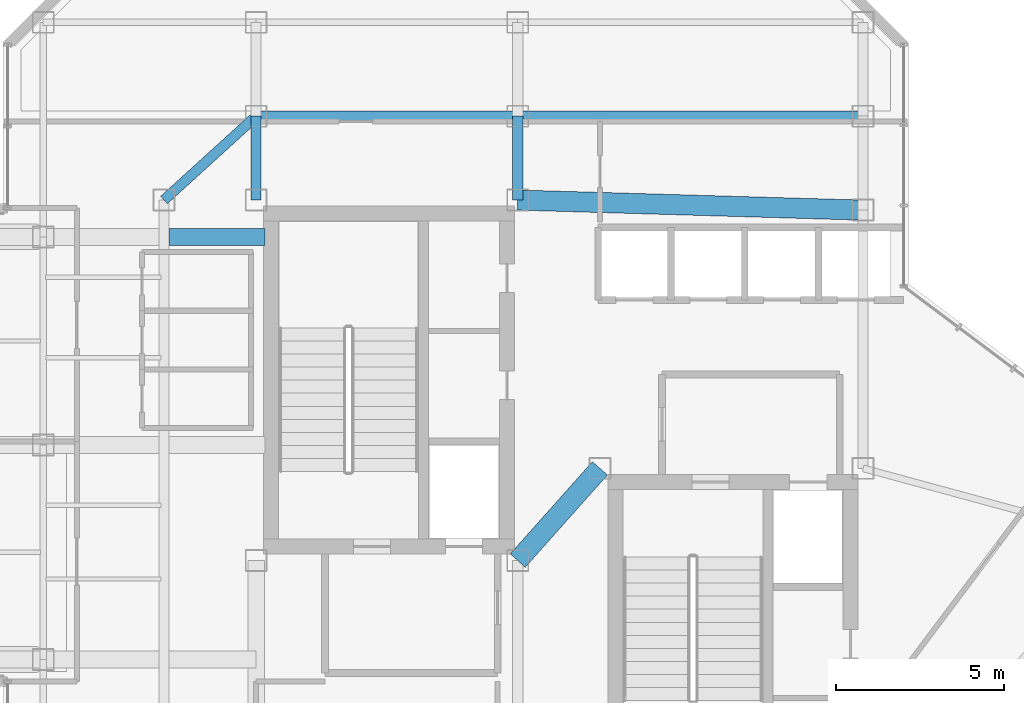
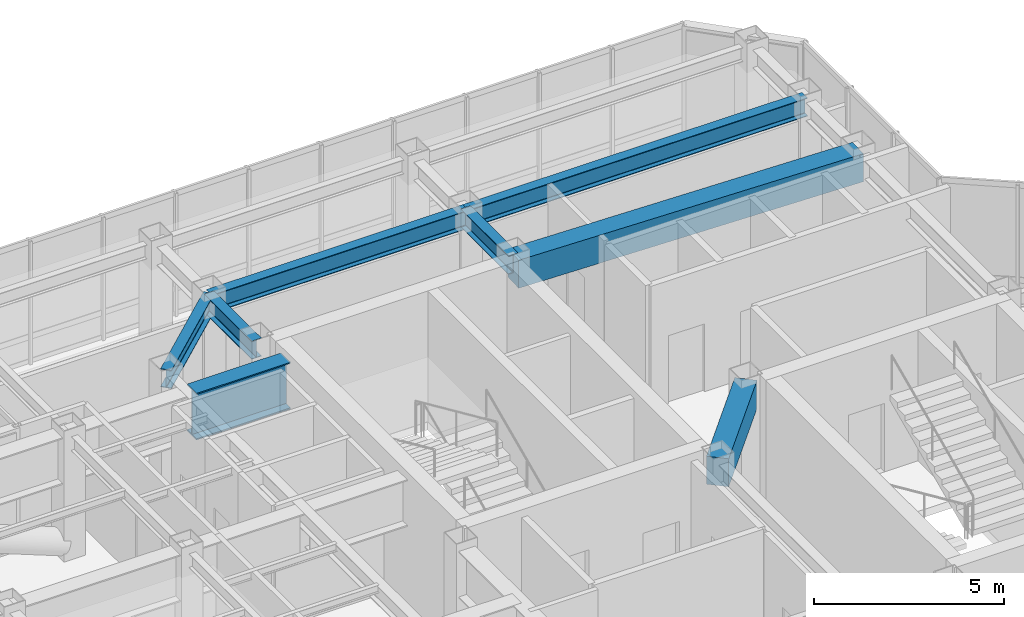
# One storey, part 8 of 22: 8 beams.
"""IFC4 building model written with IfcOpenShell, lengths in metres."""

from ifc_helpers import new_model, si_unit, direction, frame, origin, origin_2d, place, context, subcontext, project, spatial, rectangle, i_section, extrude, material, material_profile, profile_set, type_object, element, save


model = new_model("IFC4")

# Units and contexts
model_context = context("Model", 3, precision=1e-05, world=origin(), true_north=direction((0.0, 1.0)))
body_context = subcontext(model_context, "Body", "Model", "MODEL_VIEW")
ifc_project = project(units=[si_unit("LENGTHUNIT", "METRE"), si_unit("AREAUNIT", "SQUARE_METRE"), si_unit("VOLUMEUNIT", "CUBIC_METRE"), si_unit("PLANEANGLEUNIT", "RADIAN"), si_unit("MASSUNIT", "GRAM", prefix="KILO")], contexts=[model_context])

# Site, building, storey
site_placement = place(None, origin())
site = spatial("IfcSite", under=ifc_project, at=site_placement, CompositionType="ELEMENT")
building_placement = place(site_placement, origin())
building = spatial("IfcBuilding", under=site, at=building_placement, Name="Hatsunagi Terrace Concourse", CompositionType="ELEMENT")
storey_placement = place(building_placement, frame((0.0, 0.0, 257.550048828125)))
storey = spatial("IfcBuildingStorey", under=building, at=storey_placement, Name="L68", CompositionType="ELEMENT", Elevation=257.550048828125)

# Beams
ifc_material_1 = material(Name="Concrete Fc42", Category="concrete")
ifc_material_profile_1 = material_profile(ifc_material_1, rectangle(XDim=0.60009765625, YDim=0.89990234375, at=origin_2d()), Name="RC-600x900")
ifc_profile_set_1 = profile_set([ifc_material_profile_1], Name="Concrete Fc42")
beam_type_1 = type_object("IfcBeamType", Name="CoreCouplingBeam_RC_600x900", PredefinedType="BEAM", material=ifc_profile_set_1)
beam_1_placement = place(storey_placement, frame((33.35009765625, 32.550048828125, 3.5), z_axis=(0.665198651008, 0.746666427997, 0.0), x_axis=(-0.746666427997, 0.665198651008, 0.0)))
element("IfcBeam", 1, at=beam_1_placement, inside=storey, type_object=beam_type_1, Name="Beam CB-03 CB-L68-1", PredefinedType="BEAM", context=body_context, shape_type="SweptSolid", body=[
    extrude(rectangle(XDim=0.60009765625, YDim=0.89990234375, at=origin_2d()), origin(), (0.0, 0.0, 1.0), 3.68310546875),
])
beam_2_placement = place(storey_placement, frame((33.35009765625, 43.300048828125, 3.5), z_axis=(0.999575947545, -0.029119153303, 0.0), x_axis=(0.029119153303, 0.999575947545, 0.0)))
element("IfcBeam", 2, at=beam_2_placement, inside=storey, type_object=beam_type_1, Name="Beam CB-03 CB-L68-2", PredefinedType="BEAM", context=body_context, shape_type="SweptSolid", body=[
    extrude(rectangle(XDim=0.60009765625, YDim=0.89990234375, at=origin_2d()), origin(), (0.0, 0.0, 1.0), 10.30419921875),
])
ifc_material_2 = material(Name="Steel SN490B", Category="steel")
ifc_material_profile_2 = material_profile(ifc_material_2, i_section(OverallWidth=0.300048828125, OverallDepth=0.587890625, WebThickness=0.011962890625, FlangeThickness=0.02001953125, FilletRadius=0.01806640625, at=origin_2d()), Name="H-588x300x12x20")
ifc_profile_set_2 = profile_set([ifc_material_profile_2], Name="Steel SN490B")
beam_type_2 = type_object("IfcBeamType", Name="OfficeHighGirder_H_588x300", PredefinedType="BEAM", material=ifc_profile_set_2)
for number, where, z_axis, x_axis, name in (
    (3, (25.550048828125, 43.300048828125, 3.656005859375), (0.0, 1.0, 0.0), (-1.0, 0.0, 0.0), "Beam G-06 BM-L68-CN1"),
    (4, (33.35009765625, 43.300048828125, 3.656005859375), (0.0, 1.0, 0.0), (-1.0, 0.0, 0.0), "Beam G-06 BM-L68-CN2"),
):
    element("IfcBeam", number, at=place(storey_placement, frame(where, z_axis=z_axis, x_axis=x_axis)), inside=storey, type_object=beam_type_2, Name=name, PredefinedType="BEAM", context=body_context, shape_type="SweptSolid", body=[
        extrude(i_section(OverallWidth=0.300048828125, OverallDepth=0.587890625, WebThickness=0.011962890625, FlangeThickness=0.02001953125, FilletRadius=0.01806640625, at=origin_2d()), origin(), (0.0, 0.0, 1.0), 2.5),
    ])
beam_3_placement = place(storey_placement, frame((25.550048828125, 45.800048828125, 3.656005859375), z_axis=(1.0, 0.0, 0.0), x_axis=(0.0, 1.0, 0.0)))
element("IfcBeam", 5, at=beam_3_placement, inside=storey, type_object=beam_type_2, Name="Beam G-06 BM-L68-CNEW1", PredefinedType="BEAM", context=body_context, shape_type="SweptSolid", body=[
    extrude(i_section(OverallWidth=0.300048828125, OverallDepth=0.587890625, WebThickness=0.011962890625, FlangeThickness=0.02001953125, FilletRadius=0.01806640625, at=origin_2d()), origin(), (0.0, 0.0, 1.0), 7.800048828125),
])
beam_4_placement = place(storey_placement, frame((33.35009765625, 45.800048828125, 3.656005859375), z_axis=(1.0, 0.0, 0.0), x_axis=(0.0, 1.0, 0.0)))
element("IfcBeam", 6, at=beam_4_placement, inside=storey, type_object=beam_type_2, Name="Beam G-06 BM-L68-CNEW2", PredefinedType="BEAM", context=body_context, shape_type="SweptSolid", body=[
    extrude(i_section(OverallWidth=0.300048828125, OverallDepth=0.587890625, WebThickness=0.011962890625, FlangeThickness=0.02001953125, FilletRadius=0.01806640625, at=origin_2d()), origin(), (0.0, 0.0, 1.0), 10.2998046875),
])
beam_5_placement = place(storey_placement, frame((22.800048828125, 43.300048828125, 3.656005859375), z_axis=(0.739940073396, 0.672672793996, 0.0), x_axis=(-0.672672793996, 0.739940073396, 0.0)))
element("IfcBeam", 7, at=beam_5_placement, inside=storey, type_object=beam_type_2, Name="Beam G-06 BM-L68-CWEW-N", PredefinedType="BEAM", context=body_context, shape_type="SweptSolid", body=[
    extrude(i_section(OverallWidth=0.300048828125, OverallDepth=0.587890625, WebThickness=0.011962890625, FlangeThickness=0.02001953125, FilletRadius=0.01806640625, at=origin_2d()), origin(), (0.0, 0.0, 1.0), 3.716552734375),
])
ifc_material_3 = material(Name="Steel SN490C", Category="steel")
ifc_material_profile_3 = material_profile(ifc_material_3, i_section(OverallWidth=0.5, OverallDepth=1.5, WebThickness=0.028076171875, FlangeThickness=0.0380859375, at=origin_2d()), Name="BH-1500x500x28x38")
ifc_profile_set_3 = profile_set([ifc_material_profile_3], Name="Steel SN490C")
beam_type_3 = type_object("IfcBeamType", Name="SkyLoungeTrussGirder_BH_1500x500x28x38", PredefinedType="USERDEFINED", material=ifc_profile_set_3)
beam_6_placement = place(storey_placement, frame((25.81005859375, 42.199951171875, 3.199951171875), z_axis=(-1.0, 0.0, 0.0), x_axis=(0.0, -1.0, 0.0)))
element("IfcBeam", 8, at=beam_6_placement, inside=storey, type_object=beam_type_3, Name="Transfer girder SLT-01 SLT-L68-BS-3", ObjectType="TRANSFER_GIRDER", PredefinedType="USERDEFINED", context=body_context, shape_type="SweptSolid", body=[
    extrude(i_section(OverallWidth=0.5, OverallDepth=1.5, WebThickness=0.028076171875, FlangeThickness=0.0380859375, at=origin_2d()), origin(), (0.0, 0.0, 1.0), 2.860107421875),
])

save(model, "model.ifc")
